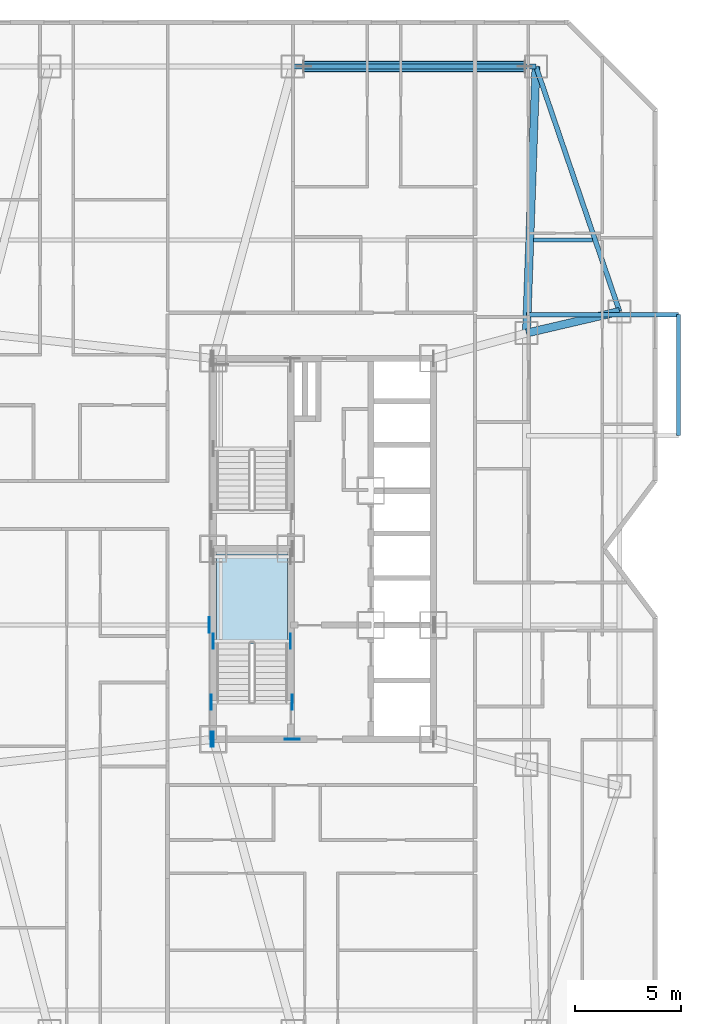
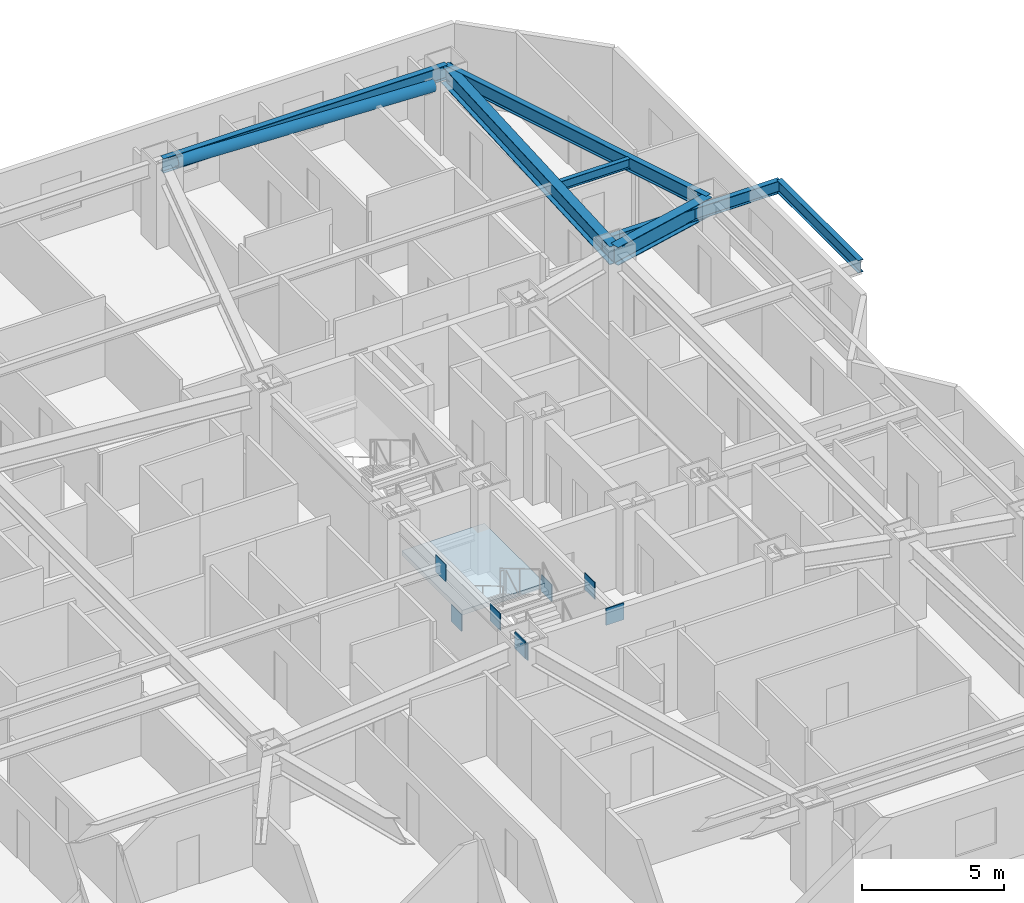
# One storey, part 2 of 13: 8 plates, 7 beams, 1 member, 1 slab, 1 element without a shape of its own.
"""IFC4 building model written with IfcOpenShell, lengths in metres."""

import ifcopenshell
import ifcopenshell.guid

model = None  # the IFC model being written
_history = None  # IfcOwnerHistory: only IFC2X3 demands one
_inside = {}  # id of a spatial element -> (the spatial element, [elements in it])
_under = {}  # id of a project, library or spatial element -> (it, [spatial elements below it])
_declared = {}  # id of a project -> (the project, [libraries it declares])
_typed = {}  # id of a type object -> (the type object, [elements of that type])
_made_of = {}  # id of a material, layer set ... -> (it, [elements and type objects made of it])


def new_model(schema):
    """Start an empty IFC model of exactly this schema.

    Asked for "IFC4X3", IfcOpenShell would pick the latest addendum, in which some entities
    have other attributes; the version numbers below select the first issue.
    IFC2X3 requires an IfcOwnerHistory on every rooted entity: one is made here for all.
    """
    global model, _history
    if schema == "IFC4X3":
        model = ifcopenshell.file(schema_version=(4, 3, 0, 0))
    else:
        model = ifcopenshell.file(schema=schema)
    _inside.clear()
    _under.clear()
    _declared.clear()
    _typed.clear()
    _made_of.clear()
    _history = None
    if model.schema == "IFC2X3":
        org = make("IfcOrganization", Name="unknown")
        user = make(
            "IfcPersonAndOrganization",
            ThePerson=make("IfcPerson", FamilyName="unknown"),
            TheOrganization=org,
        )
        app = make(
            "IfcApplication",
            ApplicationDeveloper=org,
            Version="unknown",
            ApplicationFullName="unknown",
            ApplicationIdentifier="unknown",
        )
        _history = make(
            "IfcOwnerHistory",
            OwningUser=user,
            OwningApplication=app,
            ChangeAction="ADDED",
            CreationDate=0,
        )
    return model


def make(cls, **values):
    """One entity of the class cls with the attributes given. An attribute that is None is left unset."""
    return model.create_entity(
        cls, **{name: value for name, value in values.items() if value is not None}
    )


def rooted(cls, **values):
    """An entity with a GlobalId (a new one), such as an element, a storey or a relation."""
    return make(cls, GlobalId=ifcopenshell.guid.new(), OwnerHistory=_history, **values)


def si_unit(unit_type, name, prefix=None):
    """IfcSIUnit, for example si_unit("LENGTHUNIT", "METRE", prefix="MILLI")."""
    return make("IfcSIUnit", UnitType=unit_type, Prefix=prefix, Name=name)


def assignment(units):
    """IfcUnitAssignment: the units of a project."""
    return None if units is None else make("IfcUnitAssignment", Units=units)


def point(xyz):
    """IfcCartesianPoint."""
    return None if xyz is None else make("IfcCartesianPoint", Coordinates=xyz)


def direction(xyz):
    """IfcDirection."""
    return None if xyz is None else make("IfcDirection", DirectionRatios=xyz)


def frame(location, z_axis=None, x_axis=None):
    """IfcAxis2Placement3D, a coordinate frame: its origin and axes. An axis left out is left unset."""
    return make(
        "IfcAxis2Placement3D",
        Location=point(location),
        Axis=direction(z_axis),
        RefDirection=direction(x_axis),
    )


def frame_2d(location, x_axis=None):
    """IfcAxis2Placement2D, a coordinate frame in the plane: its origin and x axis."""
    return make(
        "IfcAxis2Placement2D", Location=point(location), RefDirection=direction(x_axis)
    )


def origin():
    """The frame at (0, 0, 0) with its axes left unset."""
    return frame((0.0, 0.0, 0.0))


def origin_2d():
    """The frame at (0, 0) in the plane with its x axis left unset."""
    return frame_2d((0.0, 0.0))


def place(relative_to, where):
    """IfcLocalPlacement: puts the frame where relative to a parent placement (None: the world)."""
    return make(
        "IfcLocalPlacement", PlacementRelTo=relative_to, RelativePlacement=where
    )


def context(
    kind, dimensions, precision=None, world=None, true_north=None, identifier=None
):
    """IfcGeometricRepresentationContext, for example the 3D "Model" context."""
    return make(
        "IfcGeometricRepresentationContext",
        ContextIdentifier=identifier,
        ContextType=kind,
        CoordinateSpaceDimension=dimensions,
        Precision=precision,
        WorldCoordinateSystem=world,
        TrueNorth=true_north,
    )


def subcontext(parent, identifier, kind, view, scale=None):
    """IfcGeometricRepresentationSubContext, for example "Body" below "Model"."""
    return make(
        "IfcGeometricRepresentationSubContext",
        ContextIdentifier=identifier,
        ContextType=kind,
        ParentContext=parent,
        TargetScale=scale,
        TargetView=view,
    )


def project(units=None, contexts=None):
    """IfcProject with its units and contexts."""
    return rooted(
        "IfcProject",
        Name="project",
        RepresentationContexts=contexts,
        UnitsInContext=assignment(units),
    )


def spatial(cls, under=None, at=None, **own):
    """A site, building, storey or space (cls), placed at a placement, below another one or the project."""
    s = rooted(cls, ObjectPlacement=at, **own)
    if under is not None:
        _under.setdefault(under.id(), (under, []))[1].append(s)
    return s


def polyline(points):
    """IfcPolyline through the points."""
    return make("IfcPolyline", Points=[point(p) for p in points])


def profile(cls, at=None, kind="AREA", **sizes):
    """A parametric profile (cls). Its sizes go by their IFC names, for example OverallWidth=200.0."""
    return make(cls, ProfileType=kind, Position=at, **sizes)


def rectangle(**sizes):
    """IfcRectangleProfileDef."""
    return profile("IfcRectangleProfileDef", **sizes)


def hollow_circle(**sizes):
    """IfcCircleHollowProfileDef."""
    return profile("IfcCircleHollowProfileDef", **sizes)


def i_section(**sizes):
    """IfcIShapeProfileDef."""
    return profile("IfcIShapeProfileDef", **sizes)


def outline(outer, holes=None, kind="AREA"):
    """IfcArbitraryClosedProfileDef: a profile drawn as a closed curve; with holes, ...WithVoids."""
    if holes is None:
        return make("IfcArbitraryClosedProfileDef", ProfileType=kind, OuterCurve=outer)
    return make(
        "IfcArbitraryProfileDefWithVoids",
        ProfileType=kind,
        OuterCurve=outer,
        InnerCurves=holes,
    )


def extrude(swept, where, along, depth):
    """IfcExtrudedAreaSolid: the profile swept, set in the frame where, extruded along a direction by depth."""
    return make(
        "IfcExtrudedAreaSolid",
        SweptArea=swept,
        Position=where,
        ExtrudedDirection=direction(along),
        Depth=depth,
    )


def shape(context_of_items, identifier, shape_type, items):
    """IfcShapeRepresentation: the items that make up one representation, for example the "Body"."""
    return make(
        "IfcShapeRepresentation",
        ContextOfItems=context_of_items,
        RepresentationIdentifier=identifier,
        RepresentationType=shape_type,
        Items=items,
    )


def material(Name=None, Category=None):
    """IfcMaterial."""
    return make("IfcMaterial", Name=Name, Category=Category)


def layer(
    of_material, thickness, ventilated=None, Name=None, Category=None, Priority=None
):
    """IfcMaterialLayer: one layer of a wall or slab, of a material (None: an air gap)."""
    return make(
        "IfcMaterialLayer",
        Material=of_material,
        LayerThickness=thickness,
        IsVentilated=ventilated,
        Name=Name,
        Category=Category,
        Priority=Priority,
    )


def layer_set(layers, Name=None):
    """IfcMaterialLayerSet."""
    return make("IfcMaterialLayerSet", MaterialLayers=layers, LayerSetName=Name)


def material_profile(
    of_material, cross_section, Name=None, Category=None, Priority=None
):
    """IfcMaterialProfile: a cross section and its material."""
    return make(
        "IfcMaterialProfile",
        Name=Name,
        Material=of_material,
        Profile=cross_section,
        Priority=Priority,
        Category=Category,
    )


def profile_set(profiles, Name=None, composite=None):
    """IfcMaterialProfileSet."""
    return make(
        "IfcMaterialProfileSet",
        Name=Name,
        MaterialProfiles=profiles,
        CompositeProfile=composite,
    )


def made_of(thing, what):
    """Note that an element or type object is made of a material, layer set ...; save() writes the relation."""
    if what is not None:
        _made_of.setdefault(what.id(), (what, []))[1].append(thing)
    return thing


def type_object(cls, material=None, **own):
    """A type object (cls), such as IfcWallType, which elements share."""
    return made_of(rooted(cls, **own), material)


def element(
    cls,
    number,
    at=None,
    inside=None,
    cuts=None,
    type_object=None,
    material=None,
    context=None,
    identifier="Body",
    shape_type=None,
    held_by="IfcProductDefinitionShape",
    body=None,
    shapes=None,
    **own,
):
    """One element of the class cls, such as IfcWall. Its Tag is "e" and its number.

    at: its placement. inside: the storey or other place that contains it. cuts: it is an
    opening in that element (IfcRelVoidsElement). A single representation is given by context,
    identifier, shape_type and body (its items); several are given by shapes. held_by: the class
    of the entity that holds the representations. save() writes the other relations.
    """
    e = rooted(cls, Tag="e%d" % number, ObjectPlacement=at, **own)
    if body is not None:
        shapes = [shape(context, identifier, shape_type, body)]
    if shapes is not None:
        e.Representation = make(held_by, Representations=shapes)
    if inside is not None:
        _inside.setdefault(inside.id(), (inside, []))[1].append(e)
    if cuts is not None:
        rooted(
            "IfcRelVoidsElement", RelatingBuildingElement=cuts, RelatedOpeningElement=e
        )
    if type_object is not None:
        _typed.setdefault(type_object.id(), (type_object, []))[1].append(e)
    return made_of(e, material)


def aggregate(whole, parts):
    """IfcRelAggregates: a whole, such as a stair, and the parts it consists of."""
    return rooted("IfcRelAggregates", RelatingObject=whole, RelatedObjects=parts)


def save(model, path):
    """Write the relations noted so far, then the file.

    IfcRelAggregates (storeys below a building ...), IfcRelContainedInSpatialStructure (elements
    in a storey), IfcRelDefinesByType, IfcRelAssociatesMaterial and IfcRelDeclares: one each for
    every whole, place, type object, material and project.
    """
    for whole, parts in _under.values():
        aggregate(whole, parts)
    for where, things in _inside.values():
        rooted(
            "IfcRelContainedInSpatialStructure",
            RelatedElements=things,
            RelatingStructure=where,
        )
    for kind, things in _typed.values():
        rooted("IfcRelDefinesByType", RelatedObjects=things, RelatingType=kind)
    for what, things in _made_of.values():
        rooted("IfcRelAssociatesMaterial", RelatedObjects=things, RelatingMaterial=what)
    for by, libraries in _declared.values():
        rooted("IfcRelDeclares", RelatingContext=by, RelatedDefinitions=libraries)
    model.write(path)


model = new_model("IFC4")

# Units and contexts
model_context = context("Model", 3, precision=1e-05, world=origin(), true_north=direction((0.0, 1.0)))
body_context = subcontext(model_context, "Body", "Model", "MODEL_VIEW")
ifc_project = project(units=[si_unit("LENGTHUNIT", "METRE"), si_unit("AREAUNIT", "SQUARE_METRE"), si_unit("VOLUMEUNIT", "CUBIC_METRE"), si_unit("PLANEANGLEUNIT", "RADIAN"), si_unit("MASSUNIT", "GRAM", prefix="KILO")], contexts=[model_context])

# Site, building, storey
site_placement = place(None, origin())
site = spatial("IfcSite", under=ifc_project, at=site_placement, CompositionType="ELEMENT")
building_placement = place(site_placement, origin())
building = spatial("IfcBuilding", under=site, at=building_placement, Name="Khamvora Tower", CompositionType="ELEMENT")
storey_placement = place(building_placement, frame((0.0, 0.0, 62.5)))
storey = spatial("IfcBuildingStorey", under=building, at=storey_placement, Name="L15", CompositionType="ELEMENT", Elevation=62.5)

# Beams
ifc_material_1 = material(Name="Steel S355", Category="steel")
ifc_material_profile_1 = material_profile(ifc_material_1, i_section(OverallWidth=0.177978515625, OverallDepth=0.406982421875, WebThickness=0.008056640625, FlangeThickness=0.012939453125, FilletRadius=0.010009765625, at=origin_2d()), Name="W410x60")
ifc_profile_set_1 = profile_set([ifc_material_profile_1], Name="Steel S355")
beam_type_1 = type_object("IfcBeamType", Name="BM-JS-W410x60", PredefinedType="JOIST", material=ifc_profile_set_1)
beam_1_placement = place(storey_placement, frame((44.14306640625, 42.60009765625, 3.22705078125), z_axis=(1.0, 0.0, 0.0), x_axis=(0.0, 1.0, 0.0)))
element("IfcBeam", 1, at=beam_1_placement, inside=storey, type_object=beam_type_1, Name="L15 secondary floor joist 12", PredefinedType="JOIST", context=body_context, shape_type="SweptSolid", body=[
    extrude(i_section(OverallWidth=0.177978515625, OverallDepth=0.406982421875, WebThickness=0.008056640625, FlangeThickness=0.012939453125, FilletRadius=0.010009765625, at=origin_2d()), origin(), (0.0, 0.0, 1.0), 2.788818359375),
])
ifc_material_profile_2 = material_profile(ifc_material_1, i_section(OverallWidth=0.381103515625, OverallDepth=0.77294921875, WebThickness=0.01708984375, FlangeThickness=0.027099609375, FilletRadius=0.01806640625, at=origin_2d()), Name="W760x257")
ifc_profile_set_2 = profile_set([ifc_material_profile_2], Name="Steel S355")
beam_type_2 = type_object("IfcBeamType", Name="BM-PG-W760x257", PredefinedType="BEAM", material=ifc_profile_set_2)
beam_2_placement = place(storey_placement, frame((43.800048828125, 38.199951171875, 3.0439453125), z_axis=(0.035687386423, 0.999363002342, 0.0), x_axis=(-0.999363002342, 0.035687386423, 0.0)))
element("IfcBeam", 2, at=beam_2_placement, inside=storey, type_object=beam_type_2, Name="L15 primary floor girder N4", PredefinedType="BEAM", context=body_context, shape_type="SweptSolid", body=[
    extrude(i_section(OverallWidth=0.381103515625, OverallDepth=0.77294921875, WebThickness=0.01708984375, FlangeThickness=0.027099609375, FilletRadius=0.01806640625, at=origin_2d()), origin(), (0.0, 0.0, 1.0), 12.608154296875),
])
beam_3_placement = place(storey_placement, frame((43.800048828125, 38.199951171875, 3.0439453125), z_axis=(0.973914503503, 0.226915270237, 0.0), x_axis=(-0.226915270237, 0.973914503503, 0.0)))
element("IfcBeam", 3, at=beam_3_placement, inside=storey, type_object=beam_type_2, Name="L15 primary floor girder E2", PredefinedType="BEAM", context=body_context, shape_type="SweptSolid", body=[
    extrude(i_section(OverallWidth=0.381103515625, OverallDepth=0.77294921875, WebThickness=0.01708984375, FlangeThickness=0.027099609375, FilletRadius=0.01806640625, at=origin_2d()), origin(), (0.0, 0.0, 1.0), 4.517822265625),
])
ifc_material_profile_3 = material_profile(ifc_material_1, i_section(OverallWidth=0.208984375, OverallDepth=0.532958984375, WebThickness=0.010009765625, FlangeThickness=0.01611328125, FilletRadius=0.013916015625, at=origin_2d()), Name="W530x92")
ifc_profile_set_3 = profile_set([ifc_material_profile_3], Name="Steel S355")
beam_type_3 = type_object("IfcBeamType", Name="BM-SP-W530x92", PredefinedType="SPANDREL", material=ifc_profile_set_3)
beam_4_placement = place(storey_placement, frame((43.800048828125, 39.074951171875, 2.964111328125), z_axis=(1.0, 0.0, 0.0), x_axis=(0.0, 1.0, 0.0)))
element("IfcBeam", 4, at=beam_4_placement, inside=storey, type_object=beam_type_3, Name="L15 continuous gallery cantilever girder L16-EL2-2", PredefinedType="SPANDREL", context=body_context, shape_type="SweptSolid", body=[
    extrude(i_section(OverallWidth=0.208984375, OverallDepth=0.532958984375, WebThickness=0.010009765625, FlangeThickness=0.01611328125, FilletRadius=0.013916015625, at=origin_2d()), origin(), (0.0, 0.0, 1.0), 7.18505859375),
])
beam_5_placement = place(storey_placement, frame((50.985107421875, 33.35009765625, 2.964111328125), z_axis=(0.0, 1.0, 0.0), x_axis=(-1.0, 0.0, 0.0)))
element("IfcBeam", 5, at=beam_5_placement, inside=storey, type_object=beam_type_3, Name="L15 external gallery edge header beam L16-EL2", PredefinedType="SPANDREL", context=body_context, shape_type="SweptSolid", body=[
    extrude(i_section(OverallWidth=0.208984375, OverallDepth=0.532958984375, WebThickness=0.010009765625, FlangeThickness=0.01611328125, FilletRadius=0.013916015625, at=origin_2d()), origin(), (0.0, 0.0, 1.0), 5.724853515625),
])
ifc_material_profile_4 = material_profile(ifc_material_1, i_section(OverallWidth=0.22998046875, OverallDepth=0.616943359375, WebThickness=0.012939453125, FlangeThickness=0.02197265625, FilletRadius=0.013916015625, at=origin_2d()), Name="W610x140")
ifc_profile_set_4 = profile_set([ifc_material_profile_4], Name="Steel S355")
beam_type_4 = type_object("IfcBeamType", Name="BM-SP-W610x140", PredefinedType="SPANDREL", material=ifc_profile_set_4)
beam_6_placement = place(storey_placement, frame((48.199951171875, 39.22509765625, 3.1220703125), z_axis=(-0.322962893199, 0.946411628002, 0.0), x_axis=(-0.946411628002, -0.322962893199, 0.0)))
element("IfcBeam", 6, at=beam_6_placement, inside=storey, type_object=beam_type_4, Name="L15 perimeter spandrel beam E2-N4", PredefinedType="SPANDREL", context=body_context, shape_type="SweptSolid", body=[
    extrude(i_section(OverallWidth=0.22998046875, OverallDepth=0.616943359375, WebThickness=0.012939453125, FlangeThickness=0.02197265625, FilletRadius=0.013916015625, at=origin_2d()), origin(), (0.0, 0.0, 1.0), 12.23046875),
])
beam_7_placement = place(storey_placement, frame((44.25, 50.800048828125, 3.1220703125), z_axis=(-1.0, 0.0, 0.0), x_axis=(0.0, -1.0, 0.0)))
element("IfcBeam", 7, at=beam_7_placement, inside=storey, type_object=beam_type_4, Name="L15 perimeter spandrel beam N4-N3", PredefinedType="SPANDREL", context=body_context, shape_type="SweptSolid", body=[
    extrude(i_section(OverallWidth=0.22998046875, OverallDepth=0.616943359375, WebThickness=0.012939453125, FlangeThickness=0.02197265625, FilletRadius=0.013916015625, at=origin_2d()), origin(), (0.0, 0.0, 1.0), 11.5),
])

# Member
ifc_material_2 = material(Name="Steel S460", Category="steel")
ifc_material_profile_5 = material_profile(ifc_material_2, hollow_circle(Radius=0.25390625, WallThickness=0.02490234375, at=origin_2d()), Name="CHS508x25")
ifc_profile_set_5 = profile_set([ifc_material_profile_5], Name="Steel S460")
member_type = type_object("IfcMemberType", Name="MEM-BR-CHS508", PredefinedType="BRACE", material=ifc_profile_set_5)
member_placement = place(storey_placement, frame((43.719970703125, 50.800048828125, 2.699951171875), z_axis=(-0.999259102168, 0.0, 0.038486968366), x_axis=(0.0, -1.0, 0.0)))
element("IfcMember", 8, at=member_placement, inside=storey, type_object=member_type, Name="L15 perimeter wind brace 2", PredefinedType="BRACE", context=body_context, shape_type="SweptSolid", body=[
    extrude(hollow_circle(Radius=0.25390625, WallThickness=0.02490234375, at=origin_2d()), origin(), (0.0, 0.0, 1.0), 10.44775390625),
])

# Plates
ifc_layer_1 = layer(ifc_material_2, 0.034912109375)
ifc_layer_set_1 = layer_set([ifc_layer_1], Name="Steel S460")
plate_type = type_object("IfcPlateType", Name="PL-EMB-35", PredefinedType="SHEET", material=ifc_layer_set_1)
for number, where, z_axis, x_axis, name in (
    (9, (29.0, 23.635009765625, 1.1337890625), (0.0, 0.0, 1.0), (1.0, 0.0, 0.0), "L15 core shear wall cast-in embed plate 0450"),
    (10, (32.64990234375, 23.635009765625, 1.1337890625), (0.0, 0.0, 1.0), (1.0, 0.0, 0.0), "L15 core shear wall cast-in embed plate 0451"),
    (11, (29.0, 19.0, 2.68408203125), (0.0, 0.0, 1.0), (1.0, 0.0, 0.0), "L15 core shear wall cast-in embed plate 0459"),
    (12, (28.89990234375, 19.0, 2.80419921875), (0.0, 0.0, 1.0), (1.0, 0.0, 0.0), "L15 core shear wall cast-in embed plate 0463"),
):
    element("IfcPlate", number, at=place(storey_placement, frame(where, z_axis=z_axis, x_axis=x_axis)), inside=storey, type_object=plate_type, Name=name, PredefinedType="SHEET", context=body_context, shape_type="SweptSolid", body=[
        extrude(rectangle(XDim=0.034912109375, YDim=0.719970703125, at=origin_2d()), origin(), (0.0, 0.0, 1.0), 0.719970703125),
    ])
plate_placement = place(storey_placement, frame((32.72998046875, 19.0, 2.80419921875), z_axis=(0.0, 0.0, 1.0), x_axis=(1.0, 0.0, 0.0)))
element("IfcPlate", 13, at=plate_placement, inside=storey, type_object=plate_type, Name="L15 core shear wall cast-in embed plate 0466", PredefinedType="SHEET", context=body_context, shape_type="SweptSolid", body=[
    extrude(rectangle(XDim=0.719970703125, YDim=0.034912109375, at=origin_2d()), origin(), (0.0, 0.0, 1.0), 0.719970703125),
])
for number, where, z_axis, x_axis, name in (
    (14, (28.89990234375, 20.75, 2.94384765625), (0.0, 0.0, 1.0), (1.0, 0.0, 0.0), "L15 core shear wall cast-in embed plate 0472"),
    (15, (32.72998046875, 20.75, 2.94384765625), (0.0, 0.0, 1.0), (1.0, 0.0, 0.0), "L15 core shear wall cast-in embed plate 0473"),
    (16, (28.800048828125, 24.39990234375, 2.8671875), (0.0, 0.0, 1.0), (1.0, 0.0, 0.0), "L15 core shear wall cast-in embed plate 0476"),
):
    element("IfcPlate", number, at=place(storey_placement, frame(where, z_axis=z_axis, x_axis=x_axis)), inside=storey, type_object=plate_type, Name=name, PredefinedType="SHEET", context=body_context, shape_type="SweptSolid", body=[
        extrude(rectangle(XDim=0.034912109375, YDim=0.719970703125, at=origin_2d()), origin(), (0.0, 0.0, 1.0), 0.719970703125),
    ])

# Stair, slab
ifc_material_3 = material(Name="Concrete C40/50", Category="concrete")
stair_type = type_object("IfcStairType", Name="STR-ST-01", PredefinedType="HALF_TURN_STAIR", material=ifc_material_3)
stair_placement = place(storey_placement, origin())
stair = element("IfcStair", 17, at=stair_placement, inside=storey, type_object=stair_type, Name="L15 South Tower Exit Stair ST-01", PredefinedType="HALF_TURN_STAIR")
ifc_layer_2 = layer(ifc_material_3, 0.199951171875)
ifc_layer_set_2 = layer_set([ifc_layer_2], Name="Concrete C40/50")
slab_type = type_object("IfcSlabType", Name="SLB-LND-200", PredefinedType="LANDING", material=ifc_layer_set_2)
slab_placement = place(storey_placement, frame((0.0, 0.0, 1.625)))
slab = element("IfcSlab", 18, at=slab_placement, type_object=slab_type, Name="ST-01 landing 1", PredefinedType="LANDING", context=body_context, shape_type="SweptSolid", body=[
    extrude(outline(polyline([(32.5, 23.514892578125), (32.5, 27.75), (29.14990234375, 27.75), (29.14990234375, 23.514892578125), (32.5, 23.514892578125)])), origin(), (0.0, 0.0, 1.0), 0.199951171875),
])
aggregate(stair, [slab])

save(model, "model.ifc")
